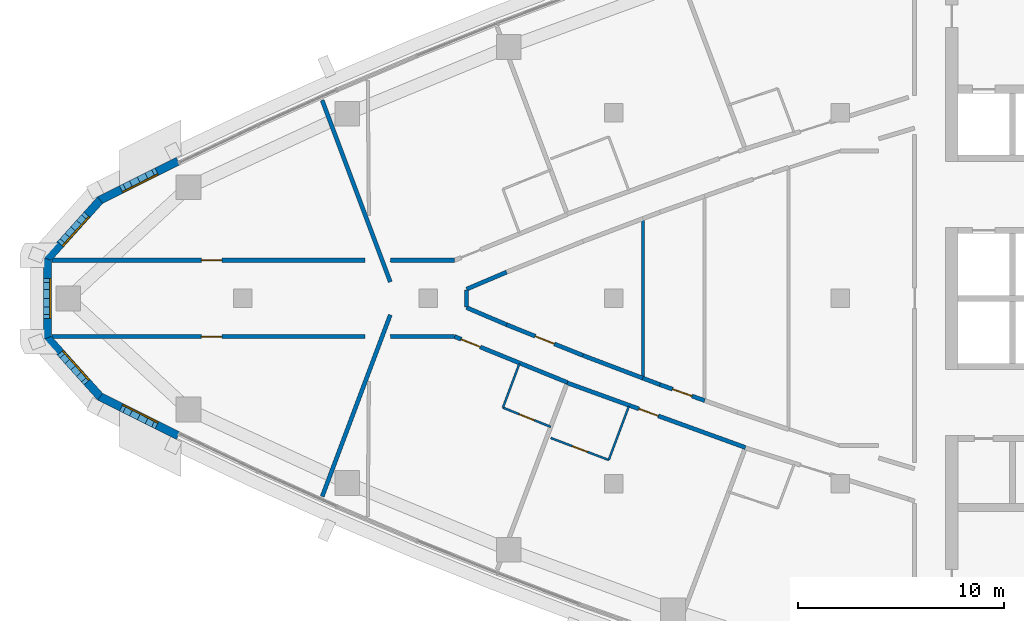
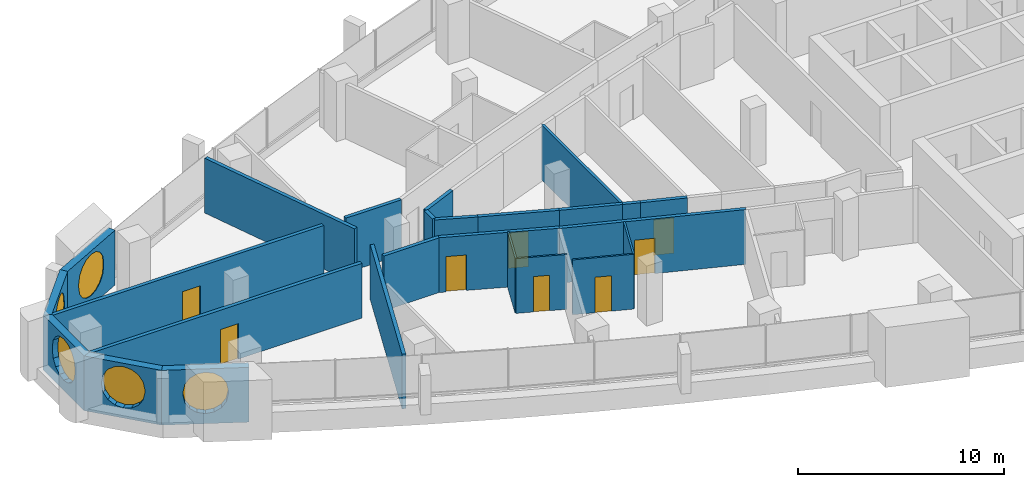
# One storey, part 8 of 15: 25 walls, 8 doors, 5 windows, 13 openings.
"""IFC4 building model written with IfcOpenShell, lengths in metres."""

import ifcopenshell
import ifcopenshell.guid

model = None  # the IFC model being written
_history = None  # IfcOwnerHistory: only IFC2X3 demands one
_inside = {}  # id of a spatial element -> (the spatial element, [elements in it])
_under = {}  # id of a project, library or spatial element -> (it, [spatial elements below it])
_declared = {}  # id of a project -> (the project, [libraries it declares])
_typed = {}  # id of a type object -> (the type object, [elements of that type])
_made_of = {}  # id of a material, layer set ... -> (it, [elements and type objects made of it])


def new_model(schema):
    """Start an empty IFC model of exactly this schema.

    Asked for "IFC4X3", IfcOpenShell would pick the latest addendum, in which some entities
    have other attributes; the version numbers below select the first issue.
    IFC2X3 requires an IfcOwnerHistory on every rooted entity: one is made here for all.
    """
    global model, _history
    if schema == "IFC4X3":
        model = ifcopenshell.file(schema_version=(4, 3, 0, 0))
    else:
        model = ifcopenshell.file(schema=schema)
    _inside.clear()
    _under.clear()
    _declared.clear()
    _typed.clear()
    _made_of.clear()
    _history = None
    if model.schema == "IFC2X3":
        org = make("IfcOrganization", Name="unknown")
        user = make(
            "IfcPersonAndOrganization",
            ThePerson=make("IfcPerson", FamilyName="unknown"),
            TheOrganization=org,
        )
        app = make(
            "IfcApplication",
            ApplicationDeveloper=org,
            Version="unknown",
            ApplicationFullName="unknown",
            ApplicationIdentifier="unknown",
        )
        _history = make(
            "IfcOwnerHistory",
            OwningUser=user,
            OwningApplication=app,
            ChangeAction="ADDED",
            CreationDate=0,
        )
    return model


def make(cls, **values):
    """One entity of the class cls with the attributes given. An attribute that is None is left unset."""
    return model.create_entity(
        cls, **{name: value for name, value in values.items() if value is not None}
    )


def rooted(cls, **values):
    """An entity with a GlobalId (a new one), such as an element, a storey or a relation."""
    return make(cls, GlobalId=ifcopenshell.guid.new(), OwnerHistory=_history, **values)


def si_unit(unit_type, name, prefix=None):
    """IfcSIUnit, for example si_unit("LENGTHUNIT", "METRE", prefix="MILLI")."""
    return make("IfcSIUnit", UnitType=unit_type, Prefix=prefix, Name=name)


def assignment(units):
    """IfcUnitAssignment: the units of a project."""
    return None if units is None else make("IfcUnitAssignment", Units=units)


def point(xyz):
    """IfcCartesianPoint."""
    return None if xyz is None else make("IfcCartesianPoint", Coordinates=xyz)


def direction(xyz):
    """IfcDirection."""
    return None if xyz is None else make("IfcDirection", DirectionRatios=xyz)


def frame(location, z_axis=None, x_axis=None):
    """IfcAxis2Placement3D, a coordinate frame: its origin and axes. An axis left out is left unset."""
    return make(
        "IfcAxis2Placement3D",
        Location=point(location),
        Axis=direction(z_axis),
        RefDirection=direction(x_axis),
    )


def frame_2d(location, x_axis=None):
    """IfcAxis2Placement2D, a coordinate frame in the plane: its origin and x axis."""
    return make(
        "IfcAxis2Placement2D", Location=point(location), RefDirection=direction(x_axis)
    )


def origin():
    """The frame at (0, 0, 0) with its axes left unset."""
    return frame((0.0, 0.0, 0.0))


def place(relative_to, where):
    """IfcLocalPlacement: puts the frame where relative to a parent placement (None: the world)."""
    return make(
        "IfcLocalPlacement", PlacementRelTo=relative_to, RelativePlacement=where
    )


def context(
    kind, dimensions, precision=None, world=None, true_north=None, identifier=None
):
    """IfcGeometricRepresentationContext, for example the 3D "Model" context."""
    return make(
        "IfcGeometricRepresentationContext",
        ContextIdentifier=identifier,
        ContextType=kind,
        CoordinateSpaceDimension=dimensions,
        Precision=precision,
        WorldCoordinateSystem=world,
        TrueNorth=true_north,
    )


def subcontext(parent, identifier, kind, view, scale=None):
    """IfcGeometricRepresentationSubContext, for example "Body" below "Model"."""
    return make(
        "IfcGeometricRepresentationSubContext",
        ContextIdentifier=identifier,
        ContextType=kind,
        ParentContext=parent,
        TargetScale=scale,
        TargetView=view,
    )


def project(units=None, contexts=None):
    """IfcProject with its units and contexts."""
    return rooted(
        "IfcProject",
        Name="project",
        RepresentationContexts=contexts,
        UnitsInContext=assignment(units),
    )


def spatial(cls, under=None, at=None, **own):
    """A site, building, storey or space (cls), placed at a placement, below another one or the project."""
    s = rooted(cls, ObjectPlacement=at, **own)
    if under is not None:
        _under.setdefault(under.id(), (under, []))[1].append(s)
    return s


def polyline(points):
    """IfcPolyline through the points."""
    return make("IfcPolyline", Points=[point(p) for p in points])


def profile(cls, at=None, kind="AREA", **sizes):
    """A parametric profile (cls). Its sizes go by their IFC names, for example OverallWidth=200.0."""
    return make(cls, ProfileType=kind, Position=at, **sizes)


def rectangle(**sizes):
    """IfcRectangleProfileDef."""
    return profile("IfcRectangleProfileDef", **sizes)


def outline(outer, holes=None, kind="AREA"):
    """IfcArbitraryClosedProfileDef: a profile drawn as a closed curve; with holes, ...WithVoids."""
    if holes is None:
        return make("IfcArbitraryClosedProfileDef", ProfileType=kind, OuterCurve=outer)
    return make(
        "IfcArbitraryProfileDefWithVoids",
        ProfileType=kind,
        OuterCurve=outer,
        InnerCurves=holes,
    )


def extrude(swept, where, along, depth):
    """IfcExtrudedAreaSolid: the profile swept, set in the frame where, extruded along a direction by depth."""
    return make(
        "IfcExtrudedAreaSolid",
        SweptArea=swept,
        Position=where,
        ExtrudedDirection=direction(along),
        Depth=depth,
    )


def shape(context_of_items, identifier, shape_type, items):
    """IfcShapeRepresentation: the items that make up one representation, for example the "Body"."""
    return make(
        "IfcShapeRepresentation",
        ContextOfItems=context_of_items,
        RepresentationIdentifier=identifier,
        RepresentationType=shape_type,
        Items=items,
    )


def material(Name=None, Category=None):
    """IfcMaterial."""
    return make("IfcMaterial", Name=Name, Category=Category)


def layer(
    of_material, thickness, ventilated=None, Name=None, Category=None, Priority=None
):
    """IfcMaterialLayer: one layer of a wall or slab, of a material (None: an air gap)."""
    return make(
        "IfcMaterialLayer",
        Material=of_material,
        LayerThickness=thickness,
        IsVentilated=ventilated,
        Name=Name,
        Category=Category,
        Priority=Priority,
    )


def layer_set(layers, Name=None):
    """IfcMaterialLayerSet."""
    return make("IfcMaterialLayerSet", MaterialLayers=layers, LayerSetName=Name)


def made_of(thing, what):
    """Note that an element or type object is made of a material, layer set ...; save() writes the relation."""
    if what is not None:
        _made_of.setdefault(what.id(), (what, []))[1].append(thing)
    return thing


def type_object(cls, material=None, **own):
    """A type object (cls), such as IfcWallType, which elements share."""
    return made_of(rooted(cls, **own), material)


def element(
    cls,
    number,
    at=None,
    inside=None,
    cuts=None,
    type_object=None,
    material=None,
    context=None,
    identifier="Body",
    shape_type=None,
    held_by="IfcProductDefinitionShape",
    body=None,
    shapes=None,
    **own,
):
    """One element of the class cls, such as IfcWall. Its Tag is "e" and its number.

    at: its placement. inside: the storey or other place that contains it. cuts: it is an
    opening in that element (IfcRelVoidsElement). A single representation is given by context,
    identifier, shape_type and body (its items); several are given by shapes. held_by: the class
    of the entity that holds the representations. save() writes the other relations.
    """
    e = rooted(cls, Tag="e%d" % number, ObjectPlacement=at, **own)
    if body is not None:
        shapes = [shape(context, identifier, shape_type, body)]
    if shapes is not None:
        e.Representation = make(held_by, Representations=shapes)
    if inside is not None:
        _inside.setdefault(inside.id(), (inside, []))[1].append(e)
    if cuts is not None:
        rooted(
            "IfcRelVoidsElement", RelatingBuildingElement=cuts, RelatedOpeningElement=e
        )
    if type_object is not None:
        _typed.setdefault(type_object.id(), (type_object, []))[1].append(e)
    return made_of(e, material)


def fill(opening, filler):
    """IfcRelFillsElement: the door or window that sits in an opening."""
    return rooted(
        "IfcRelFillsElement",
        RelatingOpeningElement=opening,
        RelatedBuildingElement=filler,
    )


def aggregate(whole, parts):
    """IfcRelAggregates: a whole, such as a stair, and the parts it consists of."""
    return rooted("IfcRelAggregates", RelatingObject=whole, RelatedObjects=parts)


def save(model, path):
    """Write the relations noted so far, then the file.

    IfcRelAggregates (storeys below a building ...), IfcRelContainedInSpatialStructure (elements
    in a storey), IfcRelDefinesByType, IfcRelAssociatesMaterial and IfcRelDeclares: one each for
    every whole, place, type object, material and project.
    """
    for whole, parts in _under.values():
        aggregate(whole, parts)
    for where, things in _inside.values():
        rooted(
            "IfcRelContainedInSpatialStructure",
            RelatedElements=things,
            RelatingStructure=where,
        )
    for kind, things in _typed.values():
        rooted("IfcRelDefinesByType", RelatedObjects=things, RelatingType=kind)
    for what, things in _made_of.values():
        rooted("IfcRelAssociatesMaterial", RelatedObjects=things, RelatingMaterial=what)
    for by, libraries in _declared.values():
        rooted("IfcRelDeclares", RelatingContext=by, RelatedDefinitions=libraries)
    model.write(path)


model = new_model("IFC4")

# Units and contexts
model_context = context("Model", 3, precision=1e-05, world=origin(), true_north=direction((0.0, 1.0)))
body_context = subcontext(model_context, "Body", "Model", "MODEL_VIEW")
ifc_project = project(units=[si_unit("LENGTHUNIT", "METRE"), si_unit("AREAUNIT", "SQUARE_METRE"), si_unit("VOLUMEUNIT", "CUBIC_METRE"), si_unit("PLANEANGLEUNIT", "RADIAN"), si_unit("MASSUNIT", "GRAM", prefix="KILO")], contexts=[model_context])

# Site, building, storey
site_placement = place(None, origin())
site = spatial("IfcSite", under=ifc_project, at=site_placement, CompositionType="ELEMENT")
building_placement = place(site_placement, origin())
building = spatial("IfcBuilding", under=site, at=building_placement, Name="Ostrand Prow Hotel Tower", CompositionType="ELEMENT")
storey_placement = place(building_placement, frame((0.0, 0.0, 238.550048828125)))
storey = spatial("IfcBuildingStorey", under=building, at=storey_placement, Name="L60", CompositionType="ELEMENT", Elevation=238.550048828125)

# Wall
ifc_material_1 = material(Name="Plasterboard partition")
ifc_layer_1 = layer(ifc_material_1, 0.10009765625)
ifc_layer_set_1 = layer_set([ifc_layer_1], Name="Plasterboard partition")
wall_type_1 = type_object("IfcWallType", Name="Partition 100 bathroom wall", PredefinedType="PARTITIONING", material=ifc_layer_set_1)
wall_1_placement = place(storey_placement, frame((28.617919921875, -5.30078125, 0.0), z_axis=(0.0, 0.0, 1.0), x_axis=(0.351064703731, 0.936351202164, 0.0)))
element("IfcWall", 1, at=wall_1_placement, inside=storey, type_object=wall_type_1, Name="BATHROOM WALL", PredefinedType="PARTITIONING", context=body_context, shape_type="SweptSolid", body=[
    extrude(rectangle(XDim=2.277587890625, YDim=0.10009765625, at=frame_2d((1.138671875, 0.0))), origin(), (0.0, 0.0, 1.0), 3.25),
])

# Wall, opening, door
wall_2_placement = place(storey_placement, frame((30.9375, -6.235107421875, 0.0), z_axis=(0.0, 0.0, 1.0), x_axis=(-0.92761232595, 0.373544338394, 0.0)))
wall_2 = element("IfcWall", 2, at=wall_2_placement, inside=storey, type_object=wall_type_1, Name="BATHROOM WALL", PredefinedType="PARTITIONING", context=body_context, shape_type="SweptSolid", body=[
    extrude(rectangle(XDim=2.50048828125, YDim=0.10009765625, at=frame_2d((1.250244140625, 0.0))), origin(), (0.0, 0.0, 1.0), 3.25),
])
opening_1_placement = place(wall_2_placement, frame((0.85009765625, 0.0, 0.0)))
opening_1 = element("IfcOpeningElement", 3, at=opening_1_placement, cuts=wall_2, Name="Opening D2", PredefinedType="OPENING", context=body_context, shape_type="SweptSolid", body=[
    extrude(rectangle(XDim=0.800048828125, YDim=2.10009765625, at=frame_2d((0.39990234375, 1.050048828125))), frame((0.0, 0.06005859375, 0.0), z_axis=(0.0, -1.0, 0.0), x_axis=(1.0, 0.0, 0.0)), (0.0, 0.0, 1.0), 0.1201171875),
])
ifc_material_2 = material(Name="Timber door leaf", Category="wood")
door_type_1 = type_object("IfcDoorType", Name="Bathroom door 800", OperationType="SINGLE_SWING_LEFT", PredefinedType="DOOR", material=ifc_material_2)
door_1_placement = place(opening_1_placement, origin())
door_1 = element("IfcDoor", 4, at=door_1_placement, inside=storey, type_object=door_type_1, Name="DOOR", OperationType="SINGLE_SWING_LEFT", OverallHeight=2.10009765625, OverallWidth=0.800048828125, PredefinedType="DOOR", context=body_context, shape_type="SweptSolid", body=[
    extrude(rectangle(XDim=0.800048828125, YDim=2.10009765625, at=frame_2d((0.39990234375, 1.050048828125))), frame((0.0, 0.02490234375, 0.0), z_axis=(0.0, -1.0, 0.0), x_axis=(1.0, 0.0, 0.0)), (0.0, 0.0, 1.0), 0.050048828125),
])
fill(opening_1, door_1)

# Wall
wall_3_placement = place(storey_placement, frame((34.7275390625, -5.241943359375, 0.0), z_axis=(0.0, 0.0, 1.0), x_axis=(-0.351113807562, -0.936332790272, 0.0)))
element("IfcWall", 5, at=wall_3_placement, inside=storey, type_object=wall_type_1, Name="BATHROOM WALL", PredefinedType="PARTITIONING", context=body_context, shape_type="SweptSolid", body=[
    extrude(rectangle(XDim=2.777099609375, YDim=0.10009765625, at=frame_2d((1.388671875, 0.0))), origin(), (0.0, 0.0, 1.0), 3.25),
])

# Wall, opening, door
wall_4_placement = place(storey_placement, frame((33.752197265625, -7.84228515625, 0.0), z_axis=(0.0, 0.0, 1.0), x_axis=(-0.934929871592, 0.354832545302, 0.0)))
wall_4 = element("IfcWall", 6, at=wall_4_placement, inside=storey, type_object=wall_type_1, Name="BATHROOM WALL", PredefinedType="PARTITIONING", context=body_context, shape_type="SweptSolid", body=[
    extrude(rectangle(XDim=3.012939453125, YDim=0.10009765625, at=frame_2d((1.50634765625, 0.0))), origin(), (0.0, 0.0, 1.0), 3.25),
])
opening_2_placement = place(wall_4_placement, frame((1.10009765625, 0.0, 0.0)))
opening_2 = element("IfcOpeningElement", 7, at=opening_2_placement, cuts=wall_4, Name="Opening D2", PredefinedType="OPENING", context=body_context, shape_type="SweptSolid", body=[
    extrude(rectangle(XDim=0.800048828125, YDim=2.10009765625, at=frame_2d((0.39990234375, 1.050048828125))), frame((0.0, 0.06005859375, 0.0), z_axis=(0.0, -1.0, 0.0), x_axis=(1.0, 0.0, 0.0)), (0.0, 0.0, 1.0), 0.1201171875),
])
door_2_placement = place(opening_2_placement, origin())
door_2 = element("IfcDoor", 8, at=door_2_placement, inside=storey, type_object=door_type_1, Name="DOOR", OperationType="SINGLE_SWING_LEFT", OverallHeight=2.10009765625, OverallWidth=0.800048828125, PredefinedType="DOOR", context=body_context, shape_type="SweptSolid", body=[
    extrude(rectangle(XDim=0.800048828125, YDim=2.10009765625, at=frame_2d((0.39990234375, 1.050048828125))), frame((0.0, 0.02490234375, 0.0), z_axis=(0.0, -1.0, 0.0), x_axis=(1.0, 0.0, 0.0)), (0.0, 0.0, 1.0), 0.050048828125),
])
fill(opening_2, door_2)

# Wall
ifc_material_3 = material(Name="Plasterboard partition")
ifc_layer_2 = layer(ifc_material_3, 0.14990234375)
ifc_layer_set_2 = layer_set([ifc_layer_2], Name="Plasterboard partition")
wall_type_2 = type_object("IfcWallType", Name="Partition 150 room partition", PredefinedType="PARTITIONING", material=ifc_layer_set_2)
wall_5_placement = place(storey_placement, frame((35.409912109375, -3.871826171875, 0.0), z_axis=(0.0, 0.0, 1.0), x_axis=(0.0, 1.0, 0.0)))
element("IfcWall", 9, at=wall_5_placement, inside=storey, type_object=wall_type_2, Name="ROOM PARTITION", PredefinedType="PARTITIONING", context=body_context, shape_type="SweptSolid", body=[
    extrude(rectangle(XDim=7.74365234375, YDim=0.14990234375, at=frame_2d((3.871826171875, 0.0))), origin(), (0.0, 0.0, 1.0), 3.25),
])

# Wall, opening, door
ifc_material_4 = material(Name="Plasterboard partition")
ifc_layer_3 = layer(ifc_material_4, 0.199951171875)
ifc_layer_set_3 = layer_set([ifc_layer_3], Name="Plasterboard partition")
wall_type_3 = type_object("IfcWallType", Name="Partition 200 corridor wall", PredefinedType="PARTITIONING", material=ifc_layer_set_3)
wall_6_placement = place(storey_placement, frame((6.724609375, 1.85009765625, 0.0), z_axis=(0.0, 0.0, 1.0), x_axis=(1.0, 0.0, 0.0)))
wall_6 = element("IfcWall", 10, at=wall_6_placement, inside=storey, type_object=wall_type_3, Name="CORRIDOR WALL", PredefinedType="PARTITIONING", context=body_context, shape_type="SweptSolid", body=[
    extrude(rectangle(XDim=15.187744140625, YDim=0.199951171875, at=frame_2d((7.59375, 0.0))), origin(), (0.0, 0.0, 1.0), 3.25),
])
opening_3_placement = place(wall_6_placement, frame((7.257080078125, 0.0, 0.0)))
opening_3 = element("IfcOpeningElement", 11, at=opening_3_placement, cuts=wall_6, Name="Opening D1", PredefinedType="OPENING", context=body_context, shape_type="SweptSolid", body=[
    extrude(rectangle(XDim=1.0, YDim=2.10009765625, at=frame_2d((0.5, 1.050048828125))), frame((0.0, 0.10986328125, 0.0), z_axis=(0.0, -1.0, 0.0), x_axis=(1.0, 0.0, 0.0)), (0.0, 0.0, 1.0), 0.219970703125),
])
ifc_material_5 = material(Name="Timber door leaf", Category="wood")
door_type_2 = type_object("IfcDoorType", Name="Guest room door 1000", OperationType="SINGLE_SWING_LEFT", PredefinedType="DOOR", material=ifc_material_5)
door_3_placement = place(opening_3_placement, origin())
door_3 = element("IfcDoor", 12, at=door_3_placement, inside=storey, type_object=door_type_2, Name="DOOR", OperationType="SINGLE_SWING_LEFT", OverallHeight=2.10009765625, OverallWidth=1.0, PredefinedType="DOOR", context=body_context, shape_type="SweptSolid", body=[
    extrude(rectangle(XDim=1.0, YDim=2.10009765625, at=frame_2d((0.5, 1.050048828125))), frame((0.0, 0.02490234375, 0.0), z_axis=(0.0, -1.0, 0.0), x_axis=(1.0, 0.0, 0.0)), (0.0, 0.0, 1.0), 0.050048828125),
])
fill(opening_3, door_3)

wall_7_placement = place(storey_placement, frame((6.724609375, -1.85009765625, 0.0), z_axis=(0.0, 0.0, 1.0), x_axis=(1.0, 0.0, 0.0)))
wall_7 = element("IfcWall", 13, at=wall_7_placement, inside=storey, type_object=wall_type_3, Name="CORRIDOR WALL", PredefinedType="PARTITIONING", context=body_context, shape_type="SweptSolid", body=[
    extrude(rectangle(XDim=15.187744140625, YDim=0.199951171875, at=frame_2d((7.59375, 0.0))), origin(), (0.0, 0.0, 1.0), 3.25),
])
opening_4_placement = place(wall_7_placement, frame((7.257080078125, 0.0, 0.0)))
opening_4 = element("IfcOpeningElement", 14, at=opening_4_placement, cuts=wall_7, Name="Opening D1R", PredefinedType="OPENING", context=body_context, shape_type="SweptSolid", body=[
    extrude(rectangle(XDim=1.0, YDim=2.10009765625, at=frame_2d((0.5, 1.050048828125))), frame((0.0, 0.10986328125, 0.0), z_axis=(0.0, -1.0, 0.0), x_axis=(1.0, 0.0, 0.0)), (0.0, 0.0, 1.0), 0.219970703125),
])
ifc_material_6 = material(Name="Timber door leaf", Category="wood")
door_type_3 = type_object("IfcDoorType", Name="Guest room door 1000 right", OperationType="SINGLE_SWING_RIGHT", PredefinedType="DOOR", material=ifc_material_6)
door_4_placement = place(opening_4_placement, origin())
door_4 = element("IfcDoor", 15, at=door_4_placement, inside=storey, type_object=door_type_3, Name="DOOR", OperationType="SINGLE_SWING_RIGHT", OverallHeight=2.10009765625, OverallWidth=1.0, PredefinedType="DOOR", context=body_context, shape_type="SweptSolid", body=[
    extrude(rectangle(XDim=1.0, YDim=2.10009765625, at=frame_2d((0.5, 1.050048828125))), frame((0.0, 0.02490234375, 0.0), z_axis=(0.0, -1.0, 0.0), x_axis=(1.0, 0.0, 0.0)), (0.0, 0.0, 1.0), 0.050048828125),
])
fill(opening_4, door_4)

wall_8_placement = place(storey_placement, frame((26.265869140625, -1.85009765625, 0.0), z_axis=(0.0, 0.0, 1.0), x_axis=(0.926191125494, -0.377054371486, 0.0)))
wall_8 = element("IfcWall", 16, at=wall_8_placement, inside=storey, type_object=wall_type_3, Name="CORRIDOR WALL", PredefinedType="PARTITIONING", context=body_context, shape_type="SweptSolid", body=[
    extrude(rectangle(XDim=5.916259765625, YDim=0.199951171875, at=frame_2d((2.9580078125, 0.0))), origin(), (0.0, 0.0, 1.0), 3.25),
])
opening_5_placement = place(wall_8_placement, frame((0.35009765625, 0.0, 0.0)))
opening_5 = element("IfcOpeningElement", 17, at=opening_5_placement, cuts=wall_8, Name="Opening D1R", PredefinedType="OPENING", context=body_context, shape_type="SweptSolid", body=[
    extrude(rectangle(XDim=1.0, YDim=2.10009765625, at=frame_2d((0.5, 1.050048828125))), frame((0.0, 0.10986328125, 0.0), z_axis=(0.0, -1.0, 0.0), x_axis=(1.0, 0.0, 0.0)), (0.0, 0.0, 1.0), 0.219970703125),
])
door_5_placement = place(opening_5_placement, origin())
door_5 = element("IfcDoor", 18, at=door_5_placement, inside=storey, type_object=door_type_3, Name="DOOR", OperationType="SINGLE_SWING_RIGHT", OverallHeight=2.10009765625, OverallWidth=1.0, PredefinedType="DOOR", context=body_context, shape_type="SweptSolid", body=[
    extrude(rectangle(XDim=1.0, YDim=2.10009765625, at=frame_2d((0.5, 1.050048828125))), frame((0.0, 0.02490234375, 0.0), z_axis=(0.0, -1.0, 0.0), x_axis=(1.0, 0.0, 0.0)), (0.0, 0.0, 1.0), 0.050048828125),
])
fill(opening_5, door_5)

wall_9_placement = place(storey_placement, frame((31.73828125, -4.099609375, 0.0), z_axis=(0.0, 0.0, 1.0), x_axis=(0.940010170527, -0.341146419159, 0.0)))
wall_9 = element("IfcWall", 19, at=wall_9_placement, inside=storey, type_object=wall_type_3, Name="CORRIDOR WALL", PredefinedType="PARTITIONING", context=body_context, shape_type="SweptSolid", body=[
    extrude(rectangle(XDim=9.200439453125, YDim=0.199951171875, at=frame_2d((4.60009765625, 0.0))), origin(), (0.0, 0.0, 1.0), 3.25),
])
opening_6_placement = place(wall_9_placement, frame((3.699951171875, 0.0, 0.0)))
opening_6 = element("IfcOpeningElement", 20, at=opening_6_placement, cuts=wall_9, Name="Opening D1R", PredefinedType="OPENING", context=body_context, shape_type="SweptSolid", body=[
    extrude(rectangle(XDim=1.0, YDim=2.10009765625, at=frame_2d((0.5, 1.050048828125))), frame((0.0, 0.10986328125, 0.0), z_axis=(0.0, -1.0, 0.0), x_axis=(1.0, 0.0, 0.0)), (0.0, 0.0, 1.0), 0.219970703125),
])
door_6_placement = place(opening_6_placement, origin())
door_6 = element("IfcDoor", 21, at=door_6_placement, inside=storey, type_object=door_type_3, Name="DOOR", OperationType="SINGLE_SWING_RIGHT", OverallHeight=2.10009765625, OverallWidth=1.0, PredefinedType="DOOR", context=body_context, shape_type="SweptSolid", body=[
    extrude(rectangle(XDim=1.0, YDim=2.10009765625, at=frame_2d((0.5, 1.050048828125))), frame((0.0, 0.02490234375, 0.0), z_axis=(0.0, -1.0, 0.0), x_axis=(1.0, 0.0, 0.0)), (0.0, 0.0, 1.0), 0.050048828125),
])
fill(opening_6, door_6)

wall_10_placement = place(storey_placement, frame((32.50146484375, -2.768310546875, 0.0), z_axis=(0.0, 0.0, 1.0), x_axis=(-0.927622894464, 0.373518092823, 0.0)))
wall_10 = element("IfcWall", 22, at=wall_10_placement, inside=storey, type_object=wall_type_3, Name="CORRIDOR WALL", PredefinedType="PARTITIONING", context=body_context, shape_type="SweptSolid", body=[
    extrude(rectangle(XDim=3.994873046875, YDim=0.199951171875, at=frame_2d((1.99755859375, 0.0))), origin(), (0.0, 0.0, 1.0), 3.25),
])
opening_7_placement = place(wall_10_placement, frame((1.49755859375, 0.0, 0.0)))
opening_7 = element("IfcOpeningElement", 23, at=opening_7_placement, cuts=wall_10, Name="Opening D1", PredefinedType="OPENING", context=body_context, shape_type="SweptSolid", body=[
    extrude(rectangle(XDim=1.0, YDim=2.10009765625, at=frame_2d((0.5, 1.050048828125))), frame((0.0, 0.10986328125, 0.0), z_axis=(0.0, -1.0, 0.0), x_axis=(1.0, 0.0, 0.0)), (0.0, 0.0, 1.0), 0.219970703125),
])
door_7_placement = place(opening_7_placement, origin())
door_7 = element("IfcDoor", 24, at=door_7_placement, inside=storey, type_object=door_type_2, Name="DOOR", OperationType="SINGLE_SWING_LEFT", OverallHeight=2.10009765625, OverallWidth=1.0, PredefinedType="DOOR", context=body_context, shape_type="SweptSolid", body=[
    extrude(rectangle(XDim=1.0, YDim=2.10009765625, at=frame_2d((0.5, 1.050048828125))), frame((0.0, 0.02490234375, 0.0), z_axis=(0.0, -1.0, 0.0), x_axis=(1.0, 0.0, 0.0)), (0.0, 0.0, 1.0), 0.050048828125),
])
fill(opening_7, door_7)

# Walls
for number, where, z_axis, x_axis, name in (
    (25, (28.795654296875, -1.276123046875, 0.0), (0.0, 0.0, 1.0), (-0.91990756443, 0.392135273732, 0.0), "CORRIDOR WALL"),
    (26, (26.85009765625, 0.44677734375, 0.0), (0.0, 0.0, 1.0), (0.91990756443, 0.392135273732, 0.0), "CORRIDOR WALL"),
):
    element("IfcWall", number, at=place(storey_placement, frame(where, z_axis=z_axis, x_axis=x_axis)), inside=storey, type_object=wall_type_3, Name=name, PredefinedType="PARTITIONING", context=body_context, shape_type="SweptSolid", body=[
        extrude(rectangle(XDim=2.114990234375, YDim=0.199951171875, at=frame_2d((1.0576171875, 0.0))), origin(), (0.0, 0.0, 1.0), 3.25),
    ])
wall_11_placement = place(storey_placement, frame((35.409912109375, -3.871826171875, 0.0), z_axis=(0.0, 0.0, 1.0), x_axis=(-0.934964318004, 0.354741770954, 0.0)))
element("IfcWall", 27, at=wall_11_placement, inside=storey, type_object=wall_type_3, Name="CORRIDOR WALL", PredefinedType="PARTITIONING", context=body_context, shape_type="SweptSolid", body=[
    extrude(rectangle(XDim=3.11083984375, YDim=0.199951171875, at=frame_2d((1.555419921875, 0.0))), origin(), (0.0, 0.0, 1.0), 3.25),
])

# Wall, opening, door
wall_12_placement = place(storey_placement, frame((38.409912109375, -4.960693359375, 0.0), z_axis=(0.0, 0.0, 1.0), x_axis=(-0.941897392466, 0.335900732459, 0.0)))
wall_12 = element("IfcWall", 28, at=wall_12_placement, inside=storey, type_object=wall_type_3, Name="CORRIDOR WALL", PredefinedType="PARTITIONING", context=body_context, shape_type="SweptSolid", body=[
    extrude(rectangle(XDim=2.3076171875, YDim=0.199951171875, at=frame_2d((1.15380859375, 0.0))), origin(), (0.0, 0.0, 1.0), 3.25),
])
opening_8_placement = place(wall_12_placement, frame((0.65380859375, 0.0, 0.0)))
opening_8 = element("IfcOpeningElement", 29, at=opening_8_placement, cuts=wall_12, Name="Opening D1R", PredefinedType="OPENING", context=body_context, shape_type="SweptSolid", body=[
    extrude(rectangle(XDim=1.0, YDim=2.10009765625, at=frame_2d((0.5, 1.050048828125))), frame((0.0, 0.10986328125, 0.0), z_axis=(0.0, -1.0, 0.0), x_axis=(1.0, 0.0, 0.0)), (0.0, 0.0, 1.0), 0.219970703125),
])
door_8_placement = place(opening_8_placement, origin())
door_8 = element("IfcDoor", 30, at=door_8_placement, inside=storey, type_object=door_type_3, Name="DOOR", OperationType="SINGLE_SWING_RIGHT", OverallHeight=2.10009765625, OverallWidth=1.0, PredefinedType="DOOR", context=body_context, shape_type="SweptSolid", body=[
    extrude(rectangle(XDim=1.0, YDim=2.10009765625, at=frame_2d((0.5, 1.050048828125))), frame((0.0, 0.02490234375, 0.0), z_axis=(0.0, -1.0, 0.0), x_axis=(1.0, 0.0, 0.0)), (0.0, 0.0, 1.0), 0.050048828125),
])
fill(opening_8, door_8)

# Walls
wall_13_placement = place(storey_placement, frame((36.236328125, -4.185546875, 0.0), z_axis=(0.0, 0.0, 1.0), x_axis=(-0.934902750064, 0.354903998178, 0.0)))
element("IfcWall", 31, at=wall_13_placement, inside=storey, type_object=wall_type_3, Name="CORRIDOR WALL", PredefinedType="PARTITIONING", context=body_context, shape_type="SweptSolid", body=[
    extrude(rectangle(XDim=0.884033203125, YDim=0.199951171875, at=frame_2d((0.44189453125, 0.0))), origin(), (0.0, 0.0, 1.0), 3.25),
])
wall_14_placement = place(storey_placement, frame((26.85498046875, -0.406982421875, 0.0), z_axis=(0.0, 0.0, 1.0), x_axis=(0.0, 1.0, 0.0)))
element("IfcWall", 32, at=wall_14_placement, inside=storey, type_object=wall_type_3, Name="CORRIDOR WALL", PredefinedType="PARTITIONING", context=body_context, shape_type="SweptSolid", body=[
    extrude(rectangle(XDim=0.81396484375, YDim=0.199951171875, at=frame_2d((0.406982421875, 0.0))), origin(), (0.0, 0.0, 1.0), 3.25),
])
for number, where, z_axis, x_axis, name in (
    (33, (26.265869140625, 1.85009765625, 0.0), (0.0, 0.0, 1.0), (-0.999999006581, 0.001409552241, 0.0), "CORRIDOR WALL"),
    (34, (23.148193359375, -1.8544921875, 0.0), (0.0, 0.0, 1.0), (0.999999006581, 0.001409552241, 0.0), "CORRIDOR WALL"),
):
    element("IfcWall", number, at=place(storey_placement, frame(where, z_axis=z_axis, x_axis=x_axis)), inside=storey, type_object=wall_type_3, Name=name, PredefinedType="PARTITIONING", context=body_context, shape_type="SweptSolid", body=[
        extrude(rectangle(XDim=3.11767578125, YDim=0.199951171875, at=frame_2d((1.558837890625, 0.0))), origin(), (0.0, 0.0, 1.0), 3.25),
    ])
ifc_material_7 = material(Name="Plasterboard partition")
ifc_layer_4 = layer(ifc_material_7, 0.199951171875)
ifc_layer_set_4 = layer_set([ifc_layer_4], Name="Plasterboard partition")
wall_type_4 = type_object("IfcWallType", Name="Partition 200 key partition", PredefinedType="PARTITIONING", material=ifc_layer_set_4)
for number, where, z_axis, x_axis, name in (
    (35, (23.14990234375, 0.800048828125, 0.0), (0.0, 0.0, 1.0), (-0.351123441588, 0.936329177569, 0.0), "KEY PARTITION"),
    (36, (19.84375, -9.616455078125, 0.0), (0.0, 0.0, 1.0), (0.351123441588, 0.936329177569, 0.0), "KEY PARTITION"),
):
    element("IfcWall", number, at=place(storey_placement, frame(where, z_axis=z_axis, x_axis=x_axis)), inside=storey, type_object=wall_type_4, Name=name, PredefinedType="PARTITIONING", context=body_context, shape_type="SweptSolid", body=[
        extrude(rectangle(XDim=9.416015625, YDim=0.199951171875, at=frame_2d((4.7080078125, 0.0))), origin(), (0.0, 0.0, 1.0), 3.25),
    ])

# Wall, opening, window
ifc_material_8 = material(Name="Precast concrete C40/50", Category="concrete")
ifc_layer_5 = layer(ifc_material_8, 0.39990234375)
ifc_layer_set_5 = layer_set([ifc_layer_5], Name="Precast concrete C40/50")
wall_type_5 = type_object("IfcWallType", Name="Stone-faced precast wall 400 mm", PredefinedType="NOTDEFINED", material=ifc_layer_set_5)
wall_15_placement = place(storey_placement, frame((12.849365234375, 6.66064453125, 0.0), z_axis=(0.0, 0.0, 1.0), x_axis=(-0.894554263274, -0.446959360634, 0.0)))
wall_15 = element("IfcWall", 37, at=wall_15_placement, inside=storey, type_object=wall_type_5, Name="Stone-faced wall prow 1", PredefinedType="NOTDEFINED", context=body_context, shape_type="SweptSolid", body=[
    extrude(outline(polyline([(0.0, -0.199951171875), (4.263671875, -0.199951171875), (4.1875, 0.199951171875), (0.0, 0.199951171875), (0.0, -0.199951171875)])), origin(), (0.0, 0.0, 1.0), 3.25),
])
opening_9_placement = place(wall_15_placement, frame((1.012939453125, 0.0, 0.60009765625)))
opening_9 = element("IfcOpeningElement", 38, at=opening_9_placement, cuts=wall_15, Name="Opening WP1", PredefinedType="OPENING", context=body_context, shape_type="SweptSolid", body=[
    extrude(outline(polyline([(0.0, 1.35009765625), (0.083740234375, 1.77099609375), (0.322265625, 2.127685546875), (0.678955078125, 2.3662109375), (1.10009765625, 2.449951171875), (1.52099609375, 2.3662109375), (1.877685546875, 2.127685546875), (2.1162109375, 1.77099609375), (2.199951171875, 1.35009765625), (2.199951171875, 1.10009765625), (2.1162109375, 0.678955078125), (1.877685546875, 0.322265625), (1.52099609375, 0.083740234375), (1.10009765625, 0.0), (0.678955078125, 0.083740234375), (0.322265625, 0.322265625), (0.083740234375, 0.678955078125), (0.0, 1.099853515625), (0.0, 1.35009765625)])), frame((0.0, 0.2099609375, 0.0), z_axis=(0.0, -1.0, 0.0), x_axis=(1.0, 0.0, 0.0)), (0.0, 0.0, 1.0), 0.419921875),
])
ifc_material_9 = material(Name="Insulated glass in bronze frame", Category="glass")
window_type = type_object("IfcWindowType", Name="Round-ended prow window 2200x2450", PartitioningType="SINGLE_PANEL", PredefinedType="WINDOW", material=ifc_material_9)
window_1_placement = place(opening_9_placement, origin())
window_1 = element("IfcWindow", 39, at=window_1_placement, inside=storey, type_object=window_type, Name="Window prow 1.1", OverallHeight=2.449951171875, OverallWidth=2.199951171875, PartitioningType="SINGLE_PANEL", PredefinedType="WINDOW", context=body_context, shape_type="SweptSolid", body=[
    extrude(outline(polyline([(0.0, 1.35009765625), (0.083740234375, 1.77099609375), (0.322265625, 2.127685546875), (0.678955078125, 2.3662109375), (1.10009765625, 2.449951171875), (1.52099609375, 2.3662109375), (1.877685546875, 2.127685546875), (2.1162109375, 1.77099609375), (2.199951171875, 1.35009765625), (2.199951171875, 1.10009765625), (2.1162109375, 0.678955078125), (1.877685546875, 0.322265625), (1.52099609375, 0.083740234375), (1.10009765625, 0.0), (0.678955078125, 0.083740234375), (0.322265625, 0.322265625), (0.083740234375, 0.678955078125), (0.0, 1.099853515625), (0.0, 1.35009765625)])), frame((0.0, 0.169921875, 0.0), z_axis=(0.0, -1.0, 0.0), x_axis=(1.0, 0.0, 0.0)), (0.0, 0.0, 1.0), 0.06005859375),
])
fill(opening_9, window_1)

wall_16_placement = place(storey_placement, frame((9.0693359375, 4.77197265625, 0.0), z_axis=(0.0, 0.0, 1.0), x_axis=(-0.668018215058, -0.744144921605, 0.0)))
wall_16 = element("IfcWall", 40, at=wall_16_placement, inside=storey, type_object=wall_type_5, Name="Stone-faced wall prow 2", PredefinedType="NOTDEFINED", context=body_context, shape_type="SweptSolid", body=[
    extrude(outline(polyline([(-0.0380859375, -0.199951171875), (3.912353515625, -0.199951171875), (3.759033203125, 0.199951171875), (0.0380859375, 0.199951171875), (-0.0380859375, -0.199951171875)])), origin(), (0.0, 0.0, 1.0), 3.25),
])
opening_10_placement = place(wall_16_placement, frame((0.81787109375, 0.0, 0.60009765625)))
opening_10 = element("IfcOpeningElement", 41, at=opening_10_placement, cuts=wall_16, Name="Opening WP1", PredefinedType="OPENING", context=body_context, shape_type="SweptSolid", body=[
    extrude(outline(polyline([(0.0, 1.35009765625), (0.083740234375, 1.77099609375), (0.322265625, 2.127685546875), (0.678955078125, 2.3662109375), (1.10009765625, 2.449951171875), (1.52099609375, 2.3662109375), (1.877685546875, 2.127685546875), (2.1162109375, 1.77099609375), (2.199951171875, 1.35009765625), (2.199951171875, 1.10009765625), (2.1162109375, 0.678955078125), (1.877685546875, 0.322265625), (1.52099609375, 0.083740234375), (1.10009765625, 0.0), (0.678955078125, 0.083740234375), (0.322265625, 0.322265625), (0.083740234375, 0.678955078125), (0.0, 1.099853515625), (0.0, 1.35009765625)])), frame((0.0, 0.2099609375, 0.0), z_axis=(0.0, -1.0, 0.0), x_axis=(1.0, 0.0, 0.0)), (0.0, 0.0, 1.0), 0.419921875),
])
window_2_placement = place(opening_10_placement, origin())
window_2 = element("IfcWindow", 42, at=window_2_placement, inside=storey, type_object=window_type, Name="Window prow 2.1", OverallHeight=2.449951171875, OverallWidth=2.199951171875, PartitioningType="SINGLE_PANEL", PredefinedType="WINDOW", context=body_context, shape_type="SweptSolid", body=[
    extrude(outline(polyline([(0.0, 1.35009765625), (0.083740234375, 1.77099609375), (0.322265625, 2.127685546875), (0.678955078125, 2.3662109375), (1.10009765625, 2.449951171875), (1.52099609375, 2.3662109375), (1.877685546875, 2.127685546875), (2.1162109375, 1.77099609375), (2.199951171875, 1.35009765625), (2.199951171875, 1.10009765625), (2.1162109375, 0.678955078125), (1.877685546875, 0.322265625), (1.52099609375, 0.083740234375), (1.10009765625, 0.0), (0.678955078125, 0.083740234375), (0.322265625, 0.322265625), (0.083740234375, 0.678955078125), (0.0, 1.099853515625), (0.0, 1.35009765625)])), frame((0.0, 0.169921875, 0.0), z_axis=(0.0, -1.0, 0.0), x_axis=(1.0, 0.0, 0.0)), (0.0, 0.0, 1.0), 0.06005859375),
])
fill(opening_10, window_2)

wall_17_placement = place(storey_placement, frame((6.507080078125, 1.917724609375, 0.0), z_axis=(0.0, 0.0, 1.0), x_axis=(0.0, -1.0, 0.0)))
wall_17 = element("IfcWall", 43, at=wall_17_placement, inside=storey, type_object=wall_type_5, Name="Stone-faced wall prow 3", PredefinedType="NOTDEFINED", context=body_context, shape_type="SweptSolid", body=[
    extrude(outline(polyline([(-0.07666015625, -0.199951171875), (3.912109375, -0.199951171875), (3.7587890625, 0.199951171875), (0.07666015625, 0.199951171875), (-0.07666015625, -0.199951171875)])), origin(), (0.0, 0.0, 1.0), 3.25),
])
opening_11_placement = place(wall_17_placement, frame((0.81787109375, 0.0, 0.60009765625)))
opening_11 = element("IfcOpeningElement", 44, at=opening_11_placement, cuts=wall_17, Name="Opening WP1", PredefinedType="OPENING", context=body_context, shape_type="SweptSolid", body=[
    extrude(outline(polyline([(0.0, 1.35009765625), (0.083740234375, 1.77099609375), (0.322265625, 2.127685546875), (0.678955078125, 2.3662109375), (1.10009765625, 2.449951171875), (1.52099609375, 2.3662109375), (1.877685546875, 2.127685546875), (2.1162109375, 1.77099609375), (2.199951171875, 1.35009765625), (2.199951171875, 1.10009765625), (2.1162109375, 0.678955078125), (1.877685546875, 0.322265625), (1.52099609375, 0.083740234375), (1.10009765625, 0.0), (0.678955078125, 0.083740234375), (0.322265625, 0.322265625), (0.083740234375, 0.678955078125), (0.0, 1.099853515625), (0.0, 1.35009765625)])), frame((0.0, 0.2099609375, 0.0), z_axis=(0.0, -1.0, 0.0), x_axis=(1.0, 0.0, 0.0)), (0.0, 0.0, 1.0), 0.419921875),
])
window_3_placement = place(opening_11_placement, origin())
window_3 = element("IfcWindow", 45, at=window_3_placement, inside=storey, type_object=window_type, Name="Window prow 3.1", OverallHeight=2.449951171875, OverallWidth=2.199951171875, PartitioningType="SINGLE_PANEL", PredefinedType="WINDOW", context=body_context, shape_type="SweptSolid", body=[
    extrude(outline(polyline([(0.0, 1.35009765625), (0.083740234375, 1.77099609375), (0.322265625, 2.127685546875), (0.678955078125, 2.3662109375), (1.10009765625, 2.449951171875), (1.52099609375, 2.3662109375), (1.877685546875, 2.127685546875), (2.1162109375, 1.77099609375), (2.199951171875, 1.35009765625), (2.199951171875, 1.10009765625), (2.1162109375, 0.678955078125), (1.877685546875, 0.322265625), (1.52099609375, 0.083740234375), (1.10009765625, 0.0), (0.678955078125, 0.083740234375), (0.322265625, 0.322265625), (0.083740234375, 0.678955078125), (0.0, 1.099853515625), (0.0, 1.35009765625)])), frame((0.0, 0.169921875, 0.0), z_axis=(0.0, -1.0, 0.0), x_axis=(1.0, 0.0, 0.0)), (0.0, 0.0, 1.0), 0.06005859375),
])
fill(opening_11, window_3)

wall_18_placement = place(storey_placement, frame((6.507080078125, -1.917724609375, 0.0), z_axis=(0.0, 0.0, 1.0), x_axis=(0.668018215058, -0.744144921605, 0.0)))
wall_18 = element("IfcWall", 46, at=wall_18_placement, inside=storey, type_object=wall_type_5, Name="Stone-faced wall prow 4", PredefinedType="NOTDEFINED", context=body_context, shape_type="SweptSolid", body=[
    extrude(outline(polyline([(-0.07666015625, -0.199951171875), (3.873779296875, -0.199951171875), (3.797607421875, 0.199951171875), (0.07666015625, 0.199951171875), (-0.07666015625, -0.199951171875)])), origin(), (0.0, 0.0, 1.0), 3.25),
])
opening_12_placement = place(wall_18_placement, frame((0.81787109375, 0.0, 0.60009765625)))
opening_12 = element("IfcOpeningElement", 47, at=opening_12_placement, cuts=wall_18, Name="Opening WP1", PredefinedType="OPENING", context=body_context, shape_type="SweptSolid", body=[
    extrude(outline(polyline([(0.0, 1.35009765625), (0.083740234375, 1.77099609375), (0.322265625, 2.127685546875), (0.678955078125, 2.3662109375), (1.10009765625, 2.449951171875), (1.52099609375, 2.3662109375), (1.877685546875, 2.127685546875), (2.1162109375, 1.77099609375), (2.199951171875, 1.35009765625), (2.199951171875, 1.10009765625), (2.1162109375, 0.678955078125), (1.877685546875, 0.322265625), (1.52099609375, 0.083740234375), (1.10009765625, 0.0), (0.678955078125, 0.083740234375), (0.322265625, 0.322265625), (0.083740234375, 0.678955078125), (0.0, 1.099853515625), (0.0, 1.35009765625)])), frame((0.0, 0.2099609375, 0.0), z_axis=(0.0, -1.0, 0.0), x_axis=(1.0, 0.0, 0.0)), (0.0, 0.0, 1.0), 0.419921875),
])
window_4_placement = place(opening_12_placement, origin())
window_4 = element("IfcWindow", 48, at=window_4_placement, inside=storey, type_object=window_type, Name="Window prow 4.1", OverallHeight=2.449951171875, OverallWidth=2.199951171875, PartitioningType="SINGLE_PANEL", PredefinedType="WINDOW", context=body_context, shape_type="SweptSolid", body=[
    extrude(outline(polyline([(0.0, 1.35009765625), (0.083740234375, 1.77099609375), (0.322265625, 2.127685546875), (0.678955078125, 2.3662109375), (1.10009765625, 2.449951171875), (1.52099609375, 2.3662109375), (1.877685546875, 2.127685546875), (2.1162109375, 1.77099609375), (2.199951171875, 1.35009765625), (2.199951171875, 1.10009765625), (2.1162109375, 0.678955078125), (1.877685546875, 0.322265625), (1.52099609375, 0.083740234375), (1.10009765625, 0.0), (0.678955078125, 0.083740234375), (0.322265625, 0.322265625), (0.083740234375, 0.678955078125), (0.0, 1.099853515625), (0.0, 1.35009765625)])), frame((0.0, 0.169921875, 0.0), z_axis=(0.0, -1.0, 0.0), x_axis=(1.0, 0.0, 0.0)), (0.0, 0.0, 1.0), 0.06005859375),
])
fill(opening_12, window_4)

wall_19_placement = place(storey_placement, frame((9.0693359375, -4.77197265625, 0.0), z_axis=(0.0, 0.0, 1.0), x_axis=(0.894554263274, -0.446959360634, 0.0)))
wall_19 = element("IfcWall", 49, at=wall_19_placement, inside=storey, type_object=wall_type_5, Name="Stone-faced wall prow 5", PredefinedType="NOTDEFINED", context=body_context, shape_type="SweptSolid", body=[
    extrude(outline(polyline([(-0.0380859375, -0.199951171875), (4.2255859375, -0.199951171875), (4.2255859375, 0.199951171875), (0.0380859375, 0.199951171875), (-0.0380859375, -0.199951171875)])), origin(), (0.0, 0.0, 1.0), 3.25),
])
opening_13_placement = place(wall_19_placement, frame((1.012939453125, 0.0, 0.60009765625)))
opening_13 = element("IfcOpeningElement", 50, at=opening_13_placement, cuts=wall_19, Name="Opening WP1", PredefinedType="OPENING", context=body_context, shape_type="SweptSolid", body=[
    extrude(outline(polyline([(0.0, 1.35009765625), (0.083740234375, 1.77099609375), (0.322265625, 2.127685546875), (0.678955078125, 2.3662109375), (1.10009765625, 2.449951171875), (1.52099609375, 2.3662109375), (1.877685546875, 2.127685546875), (2.1162109375, 1.77099609375), (2.199951171875, 1.35009765625), (2.199951171875, 1.10009765625), (2.1162109375, 0.678955078125), (1.877685546875, 0.322265625), (1.52099609375, 0.083740234375), (1.10009765625, 0.0), (0.678955078125, 0.083740234375), (0.322265625, 0.322265625), (0.083740234375, 0.678955078125), (0.0, 1.099853515625), (0.0, 1.35009765625)])), frame((0.0, 0.2099609375, 0.0), z_axis=(0.0, -1.0, 0.0), x_axis=(1.0, 0.0, 0.0)), (0.0, 0.0, 1.0), 0.419921875),
])
window_5_placement = place(opening_13_placement, origin())
window_5 = element("IfcWindow", 51, at=window_5_placement, inside=storey, type_object=window_type, Name="Window prow 5.1", OverallHeight=2.449951171875, OverallWidth=2.199951171875, PartitioningType="SINGLE_PANEL", PredefinedType="WINDOW", context=body_context, shape_type="SweptSolid", body=[
    extrude(outline(polyline([(0.0, 1.35009765625), (0.083740234375, 1.77099609375), (0.322265625, 2.127685546875), (0.678955078125, 2.3662109375), (1.10009765625, 2.449951171875), (1.52099609375, 2.3662109375), (1.877685546875, 2.127685546875), (2.1162109375, 1.77099609375), (2.199951171875, 1.35009765625), (2.199951171875, 1.10009765625), (2.1162109375, 0.678955078125), (1.877685546875, 0.322265625), (1.52099609375, 0.083740234375), (1.10009765625, 0.0), (0.678955078125, 0.083740234375), (0.322265625, 0.322265625), (0.083740234375, 0.678955078125), (0.0, 1.099853515625), (0.0, 1.35009765625)])), frame((0.0, 0.169921875, 0.0), z_axis=(0.0, -1.0, 0.0), x_axis=(1.0, 0.0, 0.0)), (0.0, 0.0, 1.0), 0.06005859375),
])
fill(opening_13, window_5)

save(model, "model.ifc")
